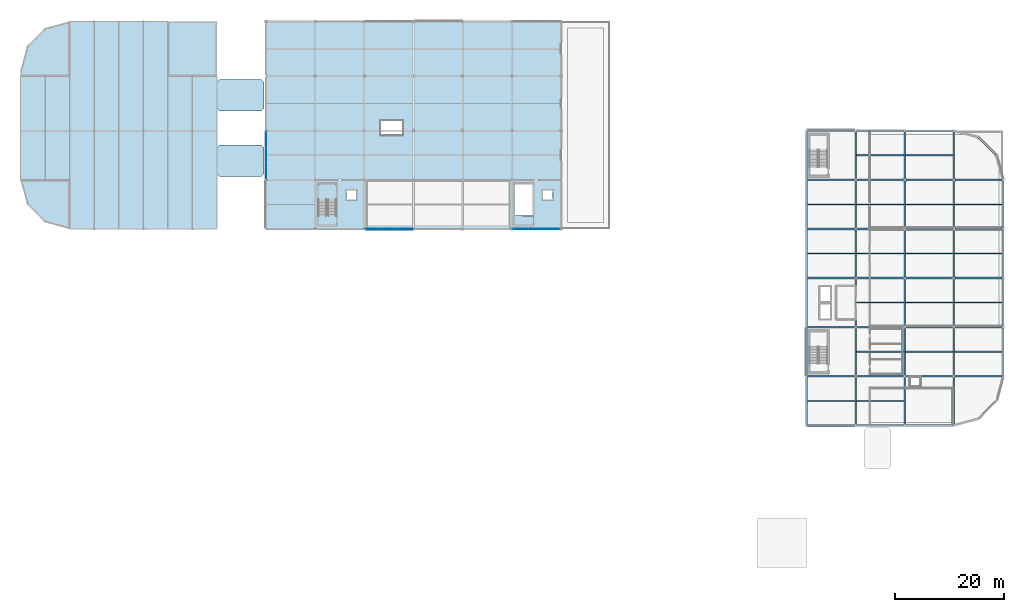
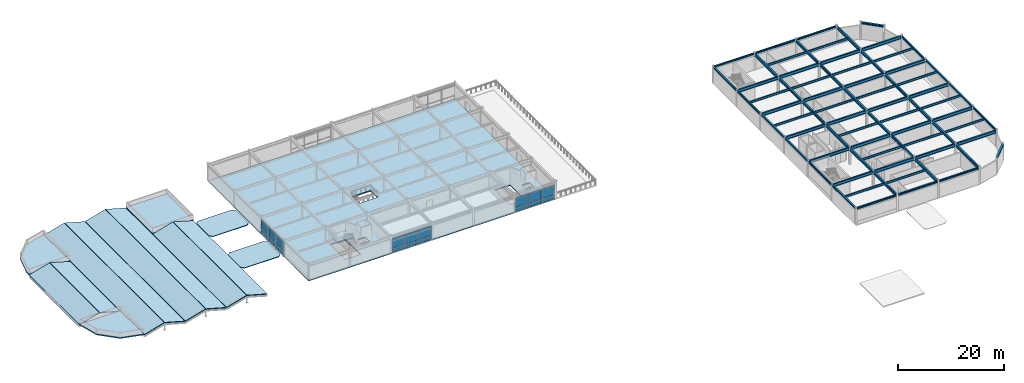
# One storey, part 26 of 40: 74 beams, 18 plates, 15 slabs, 4 elements without a shape of their own.
"""IFC4 building model written with IfcOpenShell, lengths in metres."""

import ifcopenshell
import ifcopenshell.guid

model = None  # the IFC model being written
_history = None  # IfcOwnerHistory: only IFC2X3 demands one
_inside = {}  # id of a spatial element -> (the spatial element, [elements in it])
_under = {}  # id of a project, library or spatial element -> (it, [spatial elements below it])
_declared = {}  # id of a project -> (the project, [libraries it declares])
_typed = {}  # id of a type object -> (the type object, [elements of that type])
_made_of = {}  # id of a material, layer set ... -> (it, [elements and type objects made of it])


def new_model(schema):
    """Start an empty IFC model of exactly this schema.

    Asked for "IFC4X3", IfcOpenShell would pick the latest addendum, in which some entities
    have other attributes; the version numbers below select the first issue.
    IFC2X3 requires an IfcOwnerHistory on every rooted entity: one is made here for all.
    """
    global model, _history
    if schema == "IFC4X3":
        model = ifcopenshell.file(schema_version=(4, 3, 0, 0))
    else:
        model = ifcopenshell.file(schema=schema)
    _inside.clear()
    _under.clear()
    _declared.clear()
    _typed.clear()
    _made_of.clear()
    _history = None
    if model.schema == "IFC2X3":
        org = make("IfcOrganization", Name="unknown")
        user = make(
            "IfcPersonAndOrganization",
            ThePerson=make("IfcPerson", FamilyName="unknown"),
            TheOrganization=org,
        )
        app = make(
            "IfcApplication",
            ApplicationDeveloper=org,
            Version="unknown",
            ApplicationFullName="unknown",
            ApplicationIdentifier="unknown",
        )
        _history = make(
            "IfcOwnerHistory",
            OwningUser=user,
            OwningApplication=app,
            ChangeAction="ADDED",
            CreationDate=0,
        )
    return model


def make(cls, **values):
    """One entity of the class cls with the attributes given. An attribute that is None is left unset."""
    return model.create_entity(
        cls, **{name: value for name, value in values.items() if value is not None}
    )


def rooted(cls, **values):
    """An entity with a GlobalId (a new one), such as an element, a storey or a relation."""
    return make(cls, GlobalId=ifcopenshell.guid.new(), OwnerHistory=_history, **values)


def si_unit(unit_type, name, prefix=None):
    """IfcSIUnit, for example si_unit("LENGTHUNIT", "METRE", prefix="MILLI")."""
    return make("IfcSIUnit", UnitType=unit_type, Prefix=prefix, Name=name)


def assignment(units):
    """IfcUnitAssignment: the units of a project."""
    return None if units is None else make("IfcUnitAssignment", Units=units)


def point(xyz):
    """IfcCartesianPoint."""
    return None if xyz is None else make("IfcCartesianPoint", Coordinates=xyz)


def direction(xyz):
    """IfcDirection."""
    return None if xyz is None else make("IfcDirection", DirectionRatios=xyz)


def frame(location, z_axis=None, x_axis=None):
    """IfcAxis2Placement3D, a coordinate frame: its origin and axes. An axis left out is left unset."""
    return make(
        "IfcAxis2Placement3D",
        Location=point(location),
        Axis=direction(z_axis),
        RefDirection=direction(x_axis),
    )


def frame_2d(location, x_axis=None):
    """IfcAxis2Placement2D, a coordinate frame in the plane: its origin and x axis."""
    return make(
        "IfcAxis2Placement2D", Location=point(location), RefDirection=direction(x_axis)
    )


def origin():
    """The frame at (0, 0, 0) with its axes left unset."""
    return frame((0.0, 0.0, 0.0))


def origin_2d():
    """The frame at (0, 0) in the plane with its x axis left unset."""
    return frame_2d((0.0, 0.0))


def place(relative_to, where):
    """IfcLocalPlacement: puts the frame where relative to a parent placement (None: the world)."""
    return make(
        "IfcLocalPlacement", PlacementRelTo=relative_to, RelativePlacement=where
    )


def context(
    kind, dimensions, precision=None, world=None, true_north=None, identifier=None
):
    """IfcGeometricRepresentationContext, for example the 3D "Model" context."""
    return make(
        "IfcGeometricRepresentationContext",
        ContextIdentifier=identifier,
        ContextType=kind,
        CoordinateSpaceDimension=dimensions,
        Precision=precision,
        WorldCoordinateSystem=world,
        TrueNorth=true_north,
    )


def subcontext(parent, identifier, kind, view, scale=None):
    """IfcGeometricRepresentationSubContext, for example "Body" below "Model"."""
    return make(
        "IfcGeometricRepresentationSubContext",
        ContextIdentifier=identifier,
        ContextType=kind,
        ParentContext=parent,
        TargetScale=scale,
        TargetView=view,
    )


def project(units=None, contexts=None):
    """IfcProject with its units and contexts."""
    return rooted(
        "IfcProject",
        Name="project",
        RepresentationContexts=contexts,
        UnitsInContext=assignment(units),
    )


def spatial(cls, under=None, at=None, **own):
    """A site, building, storey or space (cls), placed at a placement, below another one or the project."""
    s = rooted(cls, ObjectPlacement=at, **own)
    if under is not None:
        _under.setdefault(under.id(), (under, []))[1].append(s)
    return s


def polyline(points):
    """IfcPolyline through the points."""
    return make("IfcPolyline", Points=[point(p) for p in points])


def profile(cls, at=None, kind="AREA", **sizes):
    """A parametric profile (cls). Its sizes go by their IFC names, for example OverallWidth=200.0."""
    return make(cls, ProfileType=kind, Position=at, **sizes)


def rectangle(**sizes):
    """IfcRectangleProfileDef."""
    return profile("IfcRectangleProfileDef", **sizes)


def i_section(**sizes):
    """IfcIShapeProfileDef."""
    return profile("IfcIShapeProfileDef", **sizes)


def outline(outer, holes=None, kind="AREA"):
    """IfcArbitraryClosedProfileDef: a profile drawn as a closed curve; with holes, ...WithVoids."""
    if holes is None:
        return make("IfcArbitraryClosedProfileDef", ProfileType=kind, OuterCurve=outer)
    return make(
        "IfcArbitraryProfileDefWithVoids",
        ProfileType=kind,
        OuterCurve=outer,
        InnerCurves=holes,
    )


def extrude(swept, where, along, depth):
    """IfcExtrudedAreaSolid: the profile swept, set in the frame where, extruded along a direction by depth."""
    return make(
        "IfcExtrudedAreaSolid",
        SweptArea=swept,
        Position=where,
        ExtrudedDirection=direction(along),
        Depth=depth,
    )


def shape(context_of_items, identifier, shape_type, items):
    """IfcShapeRepresentation: the items that make up one representation, for example the "Body"."""
    return make(
        "IfcShapeRepresentation",
        ContextOfItems=context_of_items,
        RepresentationIdentifier=identifier,
        RepresentationType=shape_type,
        Items=items,
    )


def material(Name=None, Category=None):
    """IfcMaterial."""
    return make("IfcMaterial", Name=Name, Category=Category)


def layer(
    of_material, thickness, ventilated=None, Name=None, Category=None, Priority=None
):
    """IfcMaterialLayer: one layer of a wall or slab, of a material (None: an air gap)."""
    return make(
        "IfcMaterialLayer",
        Material=of_material,
        LayerThickness=thickness,
        IsVentilated=ventilated,
        Name=Name,
        Category=Category,
        Priority=Priority,
    )


def layer_set(layers, Name=None):
    """IfcMaterialLayerSet."""
    return make("IfcMaterialLayerSet", MaterialLayers=layers, LayerSetName=Name)


def material_profile(
    of_material, cross_section, Name=None, Category=None, Priority=None
):
    """IfcMaterialProfile: a cross section and its material."""
    return make(
        "IfcMaterialProfile",
        Name=Name,
        Material=of_material,
        Profile=cross_section,
        Priority=Priority,
        Category=Category,
    )


def profile_set(profiles, Name=None, composite=None):
    """IfcMaterialProfileSet."""
    return make(
        "IfcMaterialProfileSet",
        Name=Name,
        MaterialProfiles=profiles,
        CompositeProfile=composite,
    )


def made_of(thing, what):
    """Note that an element or type object is made of a material, layer set ...; save() writes the relation."""
    if what is not None:
        _made_of.setdefault(what.id(), (what, []))[1].append(thing)
    return thing


def type_object(cls, material=None, **own):
    """A type object (cls), such as IfcWallType, which elements share."""
    return made_of(rooted(cls, **own), material)


def element(
    cls,
    number,
    at=None,
    inside=None,
    cuts=None,
    type_object=None,
    material=None,
    context=None,
    identifier="Body",
    shape_type=None,
    held_by="IfcProductDefinitionShape",
    body=None,
    shapes=None,
    **own,
):
    """One element of the class cls, such as IfcWall. Its Tag is "e" and its number.

    at: its placement. inside: the storey or other place that contains it. cuts: it is an
    opening in that element (IfcRelVoidsElement). A single representation is given by context,
    identifier, shape_type and body (its items); several are given by shapes. held_by: the class
    of the entity that holds the representations. save() writes the other relations.
    """
    e = rooted(cls, Tag="e%d" % number, ObjectPlacement=at, **own)
    if body is not None:
        shapes = [shape(context, identifier, shape_type, body)]
    if shapes is not None:
        e.Representation = make(held_by, Representations=shapes)
    if inside is not None:
        _inside.setdefault(inside.id(), (inside, []))[1].append(e)
    if cuts is not None:
        rooted(
            "IfcRelVoidsElement", RelatingBuildingElement=cuts, RelatedOpeningElement=e
        )
    if type_object is not None:
        _typed.setdefault(type_object.id(), (type_object, []))[1].append(e)
    return made_of(e, material)


def aggregate(whole, parts):
    """IfcRelAggregates: a whole, such as a stair, and the parts it consists of."""
    return rooted("IfcRelAggregates", RelatingObject=whole, RelatedObjects=parts)


def save(model, path):
    """Write the relations noted so far, then the file.

    IfcRelAggregates (storeys below a building ...), IfcRelContainedInSpatialStructure (elements
    in a storey), IfcRelDefinesByType, IfcRelAssociatesMaterial and IfcRelDeclares: one each for
    every whole, place, type object, material and project.
    """
    for whole, parts in _under.values():
        aggregate(whole, parts)
    for where, things in _inside.values():
        rooted(
            "IfcRelContainedInSpatialStructure",
            RelatedElements=things,
            RelatingStructure=where,
        )
    for kind, things in _typed.values():
        rooted("IfcRelDefinesByType", RelatedObjects=things, RelatingType=kind)
    for what, things in _made_of.values():
        rooted("IfcRelAssociatesMaterial", RelatedObjects=things, RelatingMaterial=what)
    for by, libraries in _declared.values():
        rooted("IfcRelDeclares", RelatingContext=by, RelatedDefinitions=libraries)
    model.write(path)


model = new_model("IFC4")

# Units and contexts
model_context = context("Model", 3, precision=1e-05, world=origin(), true_north=direction((0.0, 1.0)))
body_context = subcontext(model_context, "Body", "Model", "MODEL_VIEW")
ifc_project = project(units=[si_unit("LENGTHUNIT", "METRE"), si_unit("AREAUNIT", "SQUARE_METRE"), si_unit("VOLUMEUNIT", "CUBIC_METRE"), si_unit("PLANEANGLEUNIT", "RADIAN"), si_unit("MASSUNIT", "GRAM", prefix="KILO")], contexts=[model_context])

# Site, building, storey
site_placement = place(None, origin())
site = spatial("IfcSite", under=ifc_project, at=site_placement, CompositionType="ELEMENT")
building_placement = place(site_placement, origin())
building = spatial("IfcBuilding", under=site, at=building_placement, Name="Suzunagisa Mobility Hub", CompositionType="ELEMENT")
storey_placement = place(building_placement, frame((0.0, 0.0, 21.89990234375)))
storey = spatial("IfcBuildingStorey", under=building, at=storey_placement, Name="L05", CompositionType="ELEMENT", Elevation=21.89990234375)

# Beams
ifc_material_1 = material(Name="Steel SN490B", Category="steel")
ifc_material_profile_1 = material_profile(ifc_material_1, i_section(OverallWidth=0.300048828125, OverallDepth=0.64990234375, WebThickness=0.012939453125, FlangeThickness=0.02197265625, FilletRadius=0.01611328125, at=origin_2d()), Name="H-650x300x13x22")
ifc_profile_set_1 = profile_set([ifc_material_profile_1], Name="Steel SN490B")
beam_type_1 = type_object("IfcBeamType", Name="Steel Beam BM-10 H-650x300x13x22", PredefinedType="BEAM", material=ifc_profile_set_1)
for number, where, z_axis, x_axis, name in (
    (1, (153.0, 44.1708984375, 3.614990234375), (0.0, 1.0, 0.0), (-1.0, 0.0, 0.0), "L05 Primary Girder GY-2148"),
    (2, (153.0, 53.1708984375, 3.614990234375), (0.0, 1.0, 0.0), (-1.0, 0.0, 0.0), "L05 Primary Girder GY-2149"),
    (3, (153.0, 62.1708984375, 3.614990234375), (0.0, 1.0, 0.0), (-1.0, 0.0, 0.0), "L05 Primary Girder GY-2150"),
    (4, (153.0, 71.1708984375, 3.614990234375), (0.0, 1.0, 0.0), (-1.0, 0.0, 0.0), "L05 Primary Girder GY-2151"),
    (5, (153.0, 80.1708984375, 3.614990234375), (0.0, 1.0, 0.0), (-1.0, 0.0, 0.0), "L05 Primary Girder GY-2152"),
    (6, (153.0, 89.1708984375, 3.614990234375), (0.0, 1.0, 0.0), (-1.0, 0.0, 0.0), "L05 Primary Girder GY-2153"),
    (7, (162.0, 44.1708984375, 3.614990234375), (0.0, 1.0, 0.0), (-1.0, 0.0, 0.0), "L05 Primary Girder GY-2154"),
    (8, (162.0, 53.1708984375, 3.614990234375), (0.0, 1.0, 0.0), (-1.0, 0.0, 0.0), "L05 Primary Girder GY-2155"),
    (9, (162.0, 62.1708984375, 3.614990234375), (0.0, 1.0, 0.0), (-1.0, 0.0, 0.0), "L05 Primary Girder GY-2156"),
    (10, (162.0, 71.1708984375, 3.614990234375), (0.0, 1.0, 0.0), (-1.0, 0.0, 0.0), "L05 Primary Girder GY-2157"),
    (11, (162.0, 80.1708984375, 3.614990234375), (0.0, 1.0, 0.0), (-1.0, 0.0, 0.0), "L05 Primary Girder GY-2158"),
    (12, (162.0, 89.1708984375, 3.614990234375), (0.0, 1.0, 0.0), (-1.0, 0.0, 0.0), "L05 Primary Girder GY-2159"),
    (13, (171.0, 44.1708984375, 3.614990234375), (0.0, 1.0, 0.0), (-1.0, 0.0, 0.0), "L05 Primary Girder GY-2160"),
    (14, (171.0, 53.1708984375, 3.614990234375), (0.0, 1.0, 0.0), (-1.0, 0.0, 0.0), "L05 Primary Girder GY-2161"),
    (15, (171.0, 62.1708984375, 3.614990234375), (0.0, 1.0, 0.0), (-1.0, 0.0, 0.0), "L05 Primary Girder GY-2162"),
    (16, (171.0, 71.1708984375, 3.614990234375), (0.0, 1.0, 0.0), (-1.0, 0.0, 0.0), "L05 Primary Girder GY-2163"),
    (17, (171.0, 80.1708984375, 3.614990234375), (0.0, 1.0, 0.0), (-1.0, 0.0, 0.0), "L05 Primary Girder GY-2164"),
    (18, (171.0, 89.1708984375, 3.614990234375), (0.0, 1.0, 0.0), (-1.0, 0.0, 0.0), "L05 Primary Girder GY-2165"),
):
    element("IfcBeam", number, at=place(storey_placement, frame(where, z_axis=z_axis, x_axis=x_axis)), inside=storey, type_object=beam_type_1, Name=name, PredefinedType="BEAM", context=body_context, shape_type="SweptSolid", body=[
        extrude(i_section(OverallWidth=0.300048828125, OverallDepth=0.64990234375, WebThickness=0.012939453125, FlangeThickness=0.02197265625, FilletRadius=0.01611328125, at=origin_2d()), origin(), (0.0, 0.0, 1.0), 8.658203125),
    ])
ifc_material_profile_2 = material_profile(ifc_material_1, i_section(OverallWidth=0.300048828125, OverallDepth=0.699951171875, WebThickness=0.012939453125, FlangeThickness=0.02392578125, FilletRadius=0.01806640625, at=origin_2d()), Name="H-700x300x13x24")
ifc_profile_set_2 = profile_set([ifc_material_profile_2], Name="Steel SN490B")
beam_type_2 = type_object("IfcBeamType", Name="Steel Beam BM-11 H-700x300x13x24", PredefinedType="BEAM", material=ifc_profile_set_2)
for number, where, z_axis, x_axis, name in (
    (19, (144.1708984375, 53.0, 3.590087890625), (1.0, 0.0, 0.0), (0.0, 1.0, 0.0), "L05 Primary Girder GX-2119"),
    (20, (153.1708984375, 53.0, 3.590087890625), (1.0, 0.0, 0.0), (0.0, 1.0, 0.0), "L05 Primary Girder GX-2120"),
    (21, (162.1708984375, 53.0, 3.590087890625), (1.0, 0.0, 0.0), (0.0, 1.0, 0.0), "L05 Primary Girder GX-2121"),
    (22, (171.1708984375, 53.0, 3.590087890625), (1.0, 0.0, 0.0), (0.0, 1.0, 0.0), "L05 Primary Girder GX-2122"),
    (23, (144.1708984375, 62.0, 3.590087890625), (1.0, 0.0, 0.0), (0.0, 1.0, 0.0), "L05 Primary Girder GX-2123"),
    (24, (153.1708984375, 62.0, 3.590087890625), (1.0, 0.0, 0.0), (0.0, 1.0, 0.0), "L05 Primary Girder GX-2124"),
    (25, (162.1708984375, 62.0, 3.590087890625), (1.0, 0.0, 0.0), (0.0, 1.0, 0.0), "L05 Primary Girder GX-2125"),
    (26, (171.1708984375, 62.0, 3.590087890625), (1.0, 0.0, 0.0), (0.0, 1.0, 0.0), "L05 Primary Girder GX-2126"),
    (27, (144.1708984375, 71.0, 3.590087890625), (1.0, 0.0, 0.0), (0.0, 1.0, 0.0), "L05 Primary Girder GX-2127"),
    (28, (153.1708984375, 71.0, 3.590087890625), (1.0, 0.0, 0.0), (0.0, 1.0, 0.0), "L05 Primary Girder GX-2128"),
    (29, (162.1708984375, 71.0, 3.590087890625), (1.0, 0.0, 0.0), (0.0, 1.0, 0.0), "L05 Primary Girder GX-2129"),
    (30, (171.1708984375, 71.0, 3.590087890625), (1.0, 0.0, 0.0), (0.0, 1.0, 0.0), "L05 Primary Girder GX-2130"),
    (31, (144.1708984375, 80.0, 3.590087890625), (1.0, 0.0, 0.0), (0.0, 1.0, 0.0), "L05 Primary Girder GX-2131"),
    (32, (153.1708984375, 80.0, 3.590087890625), (1.0, 0.0, 0.0), (0.0, 1.0, 0.0), "L05 Primary Girder GX-2132"),
    (33, (162.1708984375, 80.0, 3.590087890625), (1.0, 0.0, 0.0), (0.0, 1.0, 0.0), "L05 Primary Girder GX-2133"),
    (34, (171.1708984375, 80.0, 3.590087890625), (1.0, 0.0, 0.0), (0.0, 1.0, 0.0), "L05 Primary Girder GX-2134"),
    (35, (144.1708984375, 89.0, 3.590087890625), (1.0, 0.0, 0.0), (0.0, 1.0, 0.0), "L05 Primary Girder GX-2135"),
    (36, (153.1708984375, 89.0, 3.590087890625), (1.0, 0.0, 0.0), (0.0, 1.0, 0.0), "L05 Primary Girder GX-2136"),
    (37, (162.1708984375, 89.0, 3.590087890625), (1.0, 0.0, 0.0), (0.0, 1.0, 0.0), "L05 Primary Girder GX-2137"),
    (38, (171.1708984375, 89.0, 3.590087890625), (1.0, 0.0, 0.0), (0.0, 1.0, 0.0), "L05 Primary Girder GX-2138"),
):
    element("IfcBeam", number, at=place(storey_placement, frame(where, z_axis=z_axis, x_axis=x_axis)), inside=storey, type_object=beam_type_2, Name=name, PredefinedType="BEAM", context=body_context, shape_type="SweptSolid", body=[
        extrude(i_section(OverallWidth=0.300048828125, OverallDepth=0.699951171875, WebThickness=0.012939453125, FlangeThickness=0.02392578125, FilletRadius=0.01806640625, at=origin_2d()), origin(), (0.0, 0.0, 1.0), 8.658203125),
    ])
ifc_material_profile_3 = material_profile(ifc_material_1, i_section(OverallWidth=0.39990234375, OverallDepth=0.39990234375, WebThickness=0.012939453125, FlangeThickness=0.02099609375, FilletRadius=0.01611328125, at=origin_2d()), Name="H-400x400x13x21")
ifc_profile_set_3 = profile_set([ifc_material_profile_3], Name="Steel SN490B")
beam_type_3 = type_object("IfcBeamType", Name="Steel Beam BM-12 H-400x400x13x21", PredefinedType="SPANDREL", material=ifc_profile_set_3)
for number, where, z_axis, x_axis, name in (
    (39, (175.625732421875, 45.33154296875, 3.739990234375), (0.707106781187, 0.707106781187, 0.0), (-0.707106781187, 0.707106781187, 0.0), "L05 Streamline Prow Spandrel 2170"),
    (40, (178.66845703125, 93.625732421875, 3.739990234375), (-0.707106781187, 0.707106781187, 0.0), (-0.707106781187, -0.707106781187, 0.0), "L05 Streamline Prow Spandrel 2171"),
):
    element("IfcBeam", number, at=place(storey_placement, frame(where, z_axis=z_axis, x_axis=x_axis)), inside=storey, type_object=beam_type_3, Name=name, PredefinedType="SPANDREL", context=body_context, shape_type="SweptSolid", body=[
        extrude(i_section(OverallWidth=0.39990234375, OverallDepth=0.39990234375, WebThickness=0.012939453125, FlangeThickness=0.02099609375, FilletRadius=0.01611328125, at=origin_2d()), origin(), (0.0, 0.0, 1.0), 4.302978515625),
    ])
ifc_material_profile_4 = material_profile(ifc_material_1, i_section(OverallWidth=0.300048828125, OverallDepth=0.389892578125, WebThickness=0.010009765625, FlangeThickness=0.01611328125, FilletRadius=0.012939453125, at=origin_2d()), Name="H-390x300x10x16")
ifc_profile_set_4 = profile_set([ifc_material_profile_4], Name="Steel SN490B")
beam_type_4 = type_object("IfcBeamType", Name="Steel Beam BM-13 H-390x300x10x16", PredefinedType="SPANDREL", material=ifc_profile_set_4)
for number, where, z_axis, x_axis, name in (
    (41, (144.1708984375, 44.0, 3.7451171875), (1.0, 0.0, 0.0), (0.0, 1.0, 0.0), "L05 Primary Girder GX-2116"),
    (42, (153.1708984375, 44.0, 3.7451171875), (1.0, 0.0, 0.0), (0.0, 1.0, 0.0), "L05 Primary Girder GX-2117"),
    (43, (162.1708984375, 44.0, 3.7451171875), (1.0, 0.0, 0.0), (0.0, 1.0, 0.0), "L05 Primary Girder GX-2118"),
    (44, (144.1708984375, 98.0, 3.7451171875), (1.0, 0.0, 0.0), (0.0, 1.0, 0.0), "L05 Primary Girder GX-2139"),
    (45, (153.1708984375, 98.0, 3.7451171875), (1.0, 0.0, 0.0), (0.0, 1.0, 0.0), "L05 Primary Girder GX-2140"),
    (46, (162.1708984375, 98.0, 3.7451171875), (1.0, 0.0, 0.0), (0.0, 1.0, 0.0), "L05 Primary Girder GX-2141"),
    (47, (144.0, 44.1708984375, 3.7451171875), (0.0, 1.0, 0.0), (-1.0, 0.0, 0.0), "L05 Primary Girder GY-2142"),
    (48, (144.0, 53.1708984375, 3.7451171875), (0.0, 1.0, 0.0), (-1.0, 0.0, 0.0), "L05 Primary Girder GY-2143"),
    (49, (144.0, 62.1708984375, 3.7451171875), (0.0, 1.0, 0.0), (-1.0, 0.0, 0.0), "L05 Primary Girder GY-2144"),
    (50, (144.0, 71.1708984375, 3.7451171875), (0.0, 1.0, 0.0), (-1.0, 0.0, 0.0), "L05 Primary Girder GY-2145"),
    (51, (144.0, 80.1708984375, 3.7451171875), (0.0, 1.0, 0.0), (-1.0, 0.0, 0.0), "L05 Primary Girder GY-2146"),
    (52, (144.0, 89.1708984375, 3.7451171875), (0.0, 1.0, 0.0), (-1.0, 0.0, 0.0), "L05 Primary Girder GY-2147"),
    (53, (180.0, 53.1708984375, 3.7451171875), (0.0, 1.0, 0.0), (-1.0, 0.0, 0.0), "L05 Primary Girder GY-2166"),
    (54, (180.0, 62.1708984375, 3.7451171875), (0.0, 1.0, 0.0), (-1.0, 0.0, 0.0), "L05 Primary Girder GY-2167"),
    (55, (180.0, 71.1708984375, 3.7451171875), (0.0, 1.0, 0.0), (-1.0, 0.0, 0.0), "L05 Primary Girder GY-2168"),
    (56, (180.0, 80.1708984375, 3.7451171875), (0.0, 1.0, 0.0), (-1.0, 0.0, 0.0), "L05 Primary Girder GY-2169"),
):
    element("IfcBeam", number, at=place(storey_placement, frame(where, z_axis=z_axis, x_axis=x_axis)), inside=storey, type_object=beam_type_4, Name=name, PredefinedType="SPANDREL", context=body_context, shape_type="SweptSolid", body=[
        extrude(i_section(OverallWidth=0.300048828125, OverallDepth=0.389892578125, WebThickness=0.010009765625, FlangeThickness=0.01611328125, FilletRadius=0.012939453125, at=origin_2d()), origin(), (0.0, 0.0, 1.0), 8.658203125),
    ])
ifc_material_2 = material(Name="Steel SN400B", Category="steel")
ifc_material_profile_5 = material_profile(ifc_material_2, i_section(OverallWidth=0.199951171875, OverallDepth=0.5, WebThickness=0.010009765625, FlangeThickness=0.01611328125, FilletRadius=0.012939453125, at=origin_2d()), Name="H-500x200x10x16")
ifc_profile_set_5 = profile_set([ifc_material_profile_5], Name="Steel SN400B")
beam_type_5 = type_object("IfcBeamType", Name="Steel Beam BM-18 H-500x200x10x16", PredefinedType="JOIST", material=ifc_profile_set_5)
for number, where, z_axis, x_axis, name in (
    (57, (144.14990234375, 48.5, 3.690185546875), (1.0, 0.0, 0.0), (0.0, 1.0, 0.0), "L05 Composite Floor Joist J-2172"),
    (58, (144.14990234375, 75.5, 3.690185546875), (1.0, 0.0, 0.0), (0.0, 1.0, 0.0), "L05 Composite Floor Joist J-2173"),
    (59, (144.14990234375, 84.5, 3.690185546875), (1.0, 0.0, 0.0), (0.0, 1.0, 0.0), "L05 Composite Floor Joist J-2174"),
    (60, (153.14990234375, 48.5, 3.690185546875), (1.0, 0.0, 0.0), (0.0, 1.0, 0.0), "L05 Composite Floor Joist J-2175"),
    (61, (153.14990234375, 57.5, 3.690185546875), (1.0, 0.0, 0.0), (0.0, 1.0, 0.0), "L05 Composite Floor Joist J-2176"),
    (62, (153.14990234375, 66.5, 3.690185546875), (1.0, 0.0, 0.0), (0.0, 1.0, 0.0), "L05 Composite Floor Joist J-2177"),
    (63, (153.14990234375, 75.5, 3.690185546875), (1.0, 0.0, 0.0), (0.0, 1.0, 0.0), "L05 Composite Floor Joist J-2178"),
    (64, (153.14990234375, 84.5, 3.690185546875), (1.0, 0.0, 0.0), (0.0, 1.0, 0.0), "L05 Composite Floor Joist J-2179"),
    (65, (153.14990234375, 93.5, 3.690185546875), (1.0, 0.0, 0.0), (0.0, 1.0, 0.0), "L05 Composite Floor Joist J-2180"),
    (66, (162.14990234375, 57.5, 3.690185546875), (1.0, 0.0, 0.0), (0.0, 1.0, 0.0), "L05 Composite Floor Joist J-2181"),
    (67, (162.14990234375, 66.5, 3.690185546875), (1.0, 0.0, 0.0), (0.0, 1.0, 0.0), "L05 Composite Floor Joist J-2182"),
    (68, (162.14990234375, 75.5, 3.690185546875), (1.0, 0.0, 0.0), (0.0, 1.0, 0.0), "L05 Composite Floor Joist J-2183"),
    (69, (162.14990234375, 84.5, 3.690185546875), (1.0, 0.0, 0.0), (0.0, 1.0, 0.0), "L05 Composite Floor Joist J-2184"),
    (70, (162.14990234375, 93.5, 3.690185546875), (1.0, 0.0, 0.0), (0.0, 1.0, 0.0), "L05 Composite Floor Joist J-2185"),
    (71, (171.14990234375, 57.5, 3.690185546875), (1.0, 0.0, 0.0), (0.0, 1.0, 0.0), "L05 Composite Floor Joist J-2186"),
    (72, (171.14990234375, 66.5, 3.690185546875), (1.0, 0.0, 0.0), (0.0, 1.0, 0.0), "L05 Composite Floor Joist J-2187"),
    (73, (171.14990234375, 75.5, 3.690185546875), (1.0, 0.0, 0.0), (0.0, 1.0, 0.0), "L05 Composite Floor Joist J-2188"),
    (74, (171.14990234375, 84.5, 3.690185546875), (1.0, 0.0, 0.0), (0.0, 1.0, 0.0), "L05 Composite Floor Joist J-2189"),
):
    element("IfcBeam", number, at=place(storey_placement, frame(where, z_axis=z_axis, x_axis=x_axis)), inside=storey, type_object=beam_type_5, Name=name, PredefinedType="JOIST", context=body_context, shape_type="SweptSolid", body=[
        extrude(i_section(OverallWidth=0.199951171875, OverallDepth=0.5, WebThickness=0.010009765625, FlangeThickness=0.01611328125, FilletRadius=0.012939453125, at=origin_2d()), origin(), (0.0, 0.0, 1.0), 8.7001953125),
    ])

# Slabs
ifc_material_3 = material(Name="Concrete C30/37", Category="concrete")
ifc_layer_1 = layer(ifc_material_3, 0.139892578125)
ifc_layer_set_1 = layer_set([ifc_layer_1], Name="Concrete C30/37")
slab_type_1 = type_object("IfcSlabType", Name="Composite Slab SL-06 140mm", PredefinedType="ROOF", material=ifc_layer_set_1)
slab_1_placement = place(storey_placement, frame((0.0, 0.0, -0.139892578125)))
element("IfcSlab", 75, at=slab_1_placement, inside=storey, type_object=slab_type_1, Name="L05 Skybridge Canopy VRL-L04-S", PredefinedType="ROOF", context=body_context, shape_type="SweptSolid", body=[
    extrude(outline(polyline([(36.550048828125, 89.60009765625), (44.10009765625, 89.60009765625), (44.64990234375, 90.14990234375), (44.64990234375, 94.85009765625), (44.10009765625, 95.39990234375), (36.550048828125, 95.39990234375), (36.0, 94.85009765625), (36.0, 90.14990234375), (36.550048828125, 89.60009765625)])), origin(), (0.0, 0.0, 1.0), 0.139892578125),
])
slab_2_placement = place(storey_placement, frame((0.0, 0.0, -0.139892578125)))
element("IfcSlab", 76, at=slab_2_placement, inside=storey, type_object=slab_type_1, Name="L05 Skybridge Canopy VRL-L04-N", PredefinedType="ROOF", context=body_context, shape_type="SweptSolid", body=[
    extrude(outline(polyline([(36.550048828125, 101.60009765625), (44.10009765625, 101.60009765625), (44.64990234375, 102.14990234375), (44.64990234375, 106.85009765625), (44.10009765625, 107.39990234375), (36.550048828125, 107.39990234375), (36.0, 106.85009765625), (36.0, 102.14990234375), (36.550048828125, 101.60009765625)])), origin(), (0.0, 0.0, 1.0), 0.139892578125),
])
ifc_layer_2 = layer(ifc_material_3, 0.159912109375)
ifc_layer_set_2 = layer_set([ifc_layer_2], Name="Concrete C30/37")
slab_type_2 = type_object("IfcSlabType", Name="Composite Slab SL-11 160mm", PredefinedType="ROOF", material=ifc_layer_set_2)
for number, where, z_axis, x_axis, name in (
    (77, (0.034912109375, 89.0, 0.0), (-0.271160302108, 0.0, 0.962534202281), (0.962534202281, 0.0, 0.271160302108), "L05 Helical Ramp Canopy Roof 1W"),
    (78, (4.534912109375, 89.0, 1.248046875), (0.271160302108, 0.0, 0.962534202281), (0.962534202281, 0.0, -0.271160302108), "L05 Helical Ramp Canopy Roof 1E"),
):
    element("IfcSlab", number, at=place(storey_placement, frame(where, z_axis=z_axis, x_axis=x_axis)), inside=storey, type_object=slab_type_2, Name=name, PredefinedType="ROOF", context=body_context, shape_type="SweptSolid", body=[
        extrude(outline(polyline([(0.0, 0.0), (4.602616479239968, 0.0), (4.602616479239968, 19.0), (0.0, 19.0), (0.0, 0.0)])), origin(), (0.0, 0.0, -1.0), 0.159912109375),
    ])
for number, where, z_axis, x_axis, name in (
    (79, (9.034912109375, 80.0, 0.0), (-0.271160302108, 0.0, 0.962534202281), (0.962534202281, 0.0, 0.271160302108), "L05 Helical Ramp Canopy Roof 2W"),
    (80, (13.534912109375, 80.0, 1.248046875), (0.271160302108, 0.0, 0.962534202281), (0.962534202281, 0.0, -0.271160302108), "L05 Helical Ramp Canopy Roof 2E"),
    (81, (18.034912109375, 80.0, 0.0), (-0.271160302108, 0.0, 0.962534202281), (0.962534202281, 0.0, 0.271160302108), "L05 Helical Ramp Canopy Roof 3W"),
    (82, (22.534912109375, 80.0, 1.248046875), (0.271160302108, 0.0, 0.962534202281), (0.962534202281, 0.0, -0.271160302108), "L05 Helical Ramp Canopy Roof 3E"),
):
    element("IfcSlab", number, at=place(storey_placement, frame(where, z_axis=z_axis, x_axis=x_axis)), inside=storey, type_object=slab_type_2, Name=name, PredefinedType="ROOF", context=body_context, shape_type="SweptSolid", body=[
        extrude(outline(polyline([(0.0, 0.0), (4.602616479239968, 0.0), (4.602616479239968, 38.0), (0.0, 38.0), (0.0, 0.0)])), origin(), (0.0, 0.0, -1.0), 0.159912109375),
    ])
for number, where, z_axis, x_axis, name in (
    (83, (27.034912109375, 80.0, 0.0), (-0.271160302108, 0.0, 0.962534202281), (0.962534202281, 0.0, 0.271160302108), "L05 Helical Ramp Canopy Roof 4W"),
    (84, (31.534912109375, 80.0, 1.248046875), (0.271160302108, 0.0, 0.962534202281), (0.962534202281, 0.0, -0.271160302108), "L05 Helical Ramp Canopy Roof 4E"),
):
    element("IfcSlab", number, at=place(storey_placement, frame(where, z_axis=z_axis, x_axis=x_axis)), inside=storey, type_object=slab_type_2, Name=name, PredefinedType="ROOF", context=body_context, shape_type="SweptSolid", body=[
        extrude(outline(polyline([(0.0, 0.0), (4.602616479239968, 0.0), (4.602616479239968, 27.999999999999996), (0.0, 27.999999999999996), (0.0, 0.0)])), origin(), (0.0, 0.0, -1.0), 0.159912109375),
    ])
ifc_material_4 = material(Name="Concrete C35/45", Category="concrete")
ifc_layer_3 = layer(ifc_material_4, 0.25)
ifc_layer_set_3 = layer_set([ifc_layer_3], Name="Concrete C35/45")
slab_type_3 = type_object("IfcSlabType", Name="Composite Slab SL-13 250mm", PredefinedType="FLOOR", material=ifc_layer_set_3)
slab_3_placement = place(storey_placement, frame((0.0, 0.0, -0.25)))
element("IfcSlab", 85, at=slab_3_placement, inside=storey, type_object=slab_type_3, Name="L05 V4 Floor Slab", PredefinedType="FLOOR", context=body_context, shape_type="SweptSolid", body=[
    extrude(outline(polyline([(45.0, 80.0), (99.0, 80.0), (99.0, 118.0), (45.0, 118.0), (45.0, 80.0)]), holes=[polyline([(66.0, 97.199951171875), (70.0, 97.199951171875), (70.0, 99.800048828125), (66.0, 99.800048828125), (66.0, 97.199951171875)]), polyline([(54.56005859375, 82.47998046875), (57.840087890625, 82.47998046875), (57.840087890625, 88.199951171875), (54.56005859375, 88.199951171875), (54.56005859375, 82.47998046875)]), polyline([(59.719970703125, 85.3701171875), (61.47998046875, 85.3701171875), (61.47998046875, 87.030029296875), (59.719970703125, 87.030029296875), (59.719970703125, 85.3701171875)]), polyline([(90.56005859375, 82.47998046875), (93.840087890625, 82.47998046875), (93.840087890625, 88.199951171875), (90.56005859375, 88.199951171875), (90.56005859375, 82.47998046875)]), polyline([(95.719970703125, 85.3701171875), (97.47998046875, 85.3701171875), (97.47998046875, 87.030029296875), (95.719970703125, 87.030029296875), (95.719970703125, 85.3701171875)])]), origin(), (0.0, 0.0, 1.0), 0.25),
])
ifc_layer_4 = layer(ifc_material_3, 0.260009765625)
ifc_layer_set_4 = layer_set([ifc_layer_4], Name="Concrete C30/37")
slab_type_4 = type_object("IfcSlabType", Name="Composite Slab SL-17 260mm", PredefinedType="ROOF", material=ifc_layer_set_4)
slab_4_placement = place(storey_placement, frame((0.0, 0.0, -0.079833984375)))
element("IfcSlab", 86, at=slab_4_placement, inside=storey, type_object=slab_type_4, Name="L05 Ramp Drum SW Streamline Corner Roof", PredefinedType="ROOF", context=body_context, shape_type="SweptSolid", body=[
    extrude(outline(polyline([(9.0, 80.0), (9.0, 89.0), (0.0, 89.0), (1.205810546875, 84.5), (4.5, 81.205810546875), (9.0, 80.0)])), origin(), (0.0, 0.0, 1.0), 0.260009765625),
])
slab_5_placement = place(storey_placement, frame((0.0, 0.0, -0.079833984375)))
element("IfcSlab", 87, at=slab_5_placement, inside=storey, type_object=slab_type_4, Name="L05 Ramp Drum NW Streamline Corner Roof", PredefinedType="ROOF", context=body_context, shape_type="SweptSolid", body=[
    extrude(outline(polyline([(0.0, 109.0), (0.0, 108.0), (9.0, 108.0), (9.0, 118.0), (4.5, 116.794189453125), (1.205810546875, 113.5), (0.0, 109.0)])), origin(), (0.0, 0.0, 1.0), 0.260009765625),
])
slab_6_placement = place(storey_placement, frame((0.0, 0.0, -0.079833984375)))
element("IfcSlab", 88, at=slab_6_placement, inside=storey, type_object=slab_type_4, Name="L05 Ramp Drum NE Corner Roof", PredefinedType="ROOF", context=body_context, shape_type="SweptSolid", body=[
    extrude(outline(polyline([(36.0, 118.0), (27.0, 118.0), (27.0, 108.0), (36.0, 108.0), (36.0, 118.0)])), origin(), (0.0, 0.0, 1.0), 0.260009765625),
])

# Stair, slab
stair_type = type_object("IfcStairType", Name="Dog-Leg Core Escape Stair ST-07 W1560", PredefinedType="HALF_TURN_STAIR", material=ifc_material_4)
stair_placement = place(storey_placement, origin())
stair = element("IfcStair", 89, at=stair_placement, inside=storey, type_object=stair_type, Name="L05 Core C3 Escape Stair ST-07", PredefinedType="HALF_TURN_STAIR")
ifc_layer_5 = layer(ifc_material_4, 0.199951171875)
ifc_layer_set_5 = layer_set([ifc_layer_5], Name="Concrete C35/45")
slab_type_5 = type_object("IfcSlabType", Name="Core Stair Half-Landing Slab SL-SLND", PredefinedType="LANDING", material=ifc_layer_set_5)
slab_7_placement = place(storey_placement, frame((0.0, 0.0, 1.900146484375)))
slab_7 = element("IfcSlab", 90, at=slab_7_placement, type_object=slab_type_5, Name="ST-07 landing 1", PredefinedType="LANDING", context=body_context, shape_type="SweptSolid", body=[
    extrude(outline(polyline([(54.4599609375, 85.360107421875), (57.93994140625, 85.360107421875), (57.93994140625, 87.820068359375), (57.4599609375, 88.300048828125), (54.93994140625, 88.300048828125), (54.4599609375, 87.820068359375), (54.4599609375, 85.360107421875)])), origin(), (0.0, 0.0, 1.0), 0.199951171875),
])
aggregate(stair, [slab_7])

# Curtain wall, plates
ifc_material_5 = material(Name="Thermally Broken Anodized Aluminum and Low-E Glazing", Category="aluminium")
curtain_wall_type_1 = type_object("IfcCurtainWallType", Name="Unitised Curtain Wall CW-13 8750x3200", PredefinedType="USERDEFINED", material=ifc_material_5)
curtain_wall_1_placement = place(storey_placement, origin())
curtain_wall_1 = element("IfcCurtainWall", 91, at=curtain_wall_1_placement, inside=storey, type_object=curtain_wall_type_1, Name="L05 Unitised Curtain Wall CW-135", ObjectType="UNITISED CURTAIN WALL", PredefinedType="USERDEFINED")
ifc_material_6 = material(Name="Low-E Solar-Control Double Glazing", Category="glass")
ifc_layer_6 = layer(ifc_material_6, 0.028076171875)
ifc_layer_set_6 = layer_set([ifc_layer_6], Name="Low-E Solar-Control Double Glazing")
plate_type = type_object("IfcPlateType", Name="Low-E Double Glazed Curtain Panel GP-01 28mm", PredefinedType="CURTAIN_PANEL", material=ifc_layer_set_6)
plate_1_placement = place(storey_placement, frame((64.66015625, 80.0, 0.06298828125), z_axis=(0.0, 0.0, 1.0), x_axis=(1.0, 0.0, 0.0)))
plate_1 = element("IfcPlate", 92, at=plate_1_placement, type_object=plate_type, Name="Curtain Wall Glazing Panel 135-P1.1", PredefinedType="CURTAIN_PANEL", context=body_context, shape_type="SweptSolid", body=[
    extrude(rectangle(XDim=2.854248046875, YDim=0.028076171875, at=origin_2d()), origin(), (0.0, 0.0, 1.0), 0.8564453125),
])
plate_2_placement = place(storey_placement, frame((64.66015625, 80.0, 0.98046875), z_axis=(0.0, 0.0, 1.0), x_axis=(1.0, 0.0, 0.0)))
plate_2 = element("IfcPlate", 93, at=plate_2_placement, type_object=plate_type, Name="Curtain Wall Glazing Panel 135-P1.2", PredefinedType="CURTAIN_PANEL", context=body_context, shape_type="SweptSolid", body=[
    extrude(rectangle(XDim=2.854248046875, YDim=0.028076171875, at=origin_2d()), origin(), (0.0, 0.0, 1.0), 2.176513671875),
])
plate_3_placement = place(storey_placement, frame((67.585205078125, 80.0, 0.06298828125), z_axis=(0.0, 0.0, 1.0), x_axis=(1.0, 0.0, 0.0)))
plate_3 = element("IfcPlate", 94, at=plate_3_placement, type_object=plate_type, Name="Curtain Wall Glazing Panel 135-P2.1", PredefinedType="CURTAIN_PANEL", context=body_context, shape_type="SweptSolid", body=[
    extrude(rectangle(XDim=2.884033203125, YDim=0.028076171875, at=origin_2d()), origin(), (0.0, 0.0, 1.0), 0.8564453125),
])
plate_4_placement = place(storey_placement, frame((67.585205078125, 80.0, 0.98046875), z_axis=(0.0, 0.0, 1.0), x_axis=(1.0, 0.0, 0.0)))
plate_4 = element("IfcPlate", 95, at=plate_4_placement, type_object=plate_type, Name="Curtain Wall Glazing Panel 135-P2.2", PredefinedType="CURTAIN_PANEL", context=body_context, shape_type="SweptSolid", body=[
    extrude(rectangle(XDim=2.884033203125, YDim=0.028076171875, at=origin_2d()), origin(), (0.0, 0.0, 1.0), 2.176513671875),
])
plate_5_placement = place(storey_placement, frame((70.510498046875, 80.0, 0.06298828125), z_axis=(0.0, 0.0, 1.0), x_axis=(1.0, 0.0, 0.0)))
plate_5 = element("IfcPlate", 96, at=plate_5_placement, type_object=plate_type, Name="Curtain Wall Glazing Panel 135-P3.1", PredefinedType="CURTAIN_PANEL", context=body_context, shape_type="SweptSolid", body=[
    extrude(rectangle(XDim=2.854248046875, YDim=0.028076171875, at=origin_2d()), origin(), (0.0, 0.0, 1.0), 0.8564453125),
])
plate_6_placement = place(storey_placement, frame((70.510498046875, 80.0, 0.98046875), z_axis=(0.0, 0.0, 1.0), x_axis=(1.0, 0.0, 0.0)))
plate_6 = element("IfcPlate", 97, at=plate_6_placement, type_object=plate_type, Name="Curtain Wall Glazing Panel 135-P3.2", PredefinedType="CURTAIN_PANEL", context=body_context, shape_type="SweptSolid", body=[
    extrude(rectangle(XDim=2.854248046875, YDim=0.028076171875, at=origin_2d()), origin(), (0.0, 0.0, 1.0), 2.176513671875),
])
aggregate(curtain_wall_1, [plate_1, plate_2, plate_3, plate_4, plate_5, plate_6])

curtain_wall_2_placement = place(storey_placement, origin())
curtain_wall_2 = element("IfcCurtainWall", 98, at=curtain_wall_2_placement, inside=storey, type_object=curtain_wall_type_1, Name="L05 Unitised Curtain Wall CW-136", ObjectType="UNITISED CURTAIN WALL", PredefinedType="USERDEFINED")
plate_7_placement = place(storey_placement, frame((91.631591796875, 80.0, 0.06298828125), z_axis=(0.0, 0.0, 1.0), x_axis=(1.0, 0.0, 0.0)))
plate_7 = element("IfcPlate", 99, at=plate_7_placement, type_object=plate_type, Name="Curtain Wall Glazing Panel 136-P1.1", PredefinedType="CURTAIN_PANEL", context=body_context, shape_type="SweptSolid", body=[
    extrude(rectangle(XDim=2.79736328125, YDim=0.028076171875, at=origin_2d()), origin(), (0.0, 0.0, 1.0), 0.8564453125),
])
plate_8_placement = place(storey_placement, frame((91.631591796875, 80.0, 0.98046875), z_axis=(0.0, 0.0, 1.0), x_axis=(1.0, 0.0, 0.0)))
plate_8 = element("IfcPlate", 100, at=plate_8_placement, type_object=plate_type, Name="Curtain Wall Glazing Panel 136-P1.2", PredefinedType="CURTAIN_PANEL", context=body_context, shape_type="SweptSolid", body=[
    extrude(rectangle(XDim=2.79736328125, YDim=0.028076171875, at=origin_2d()), origin(), (0.0, 0.0, 1.0), 2.176513671875),
])
plate_9_placement = place(storey_placement, frame((94.5, 80.0, 0.06298828125), z_axis=(0.0, 0.0, 1.0), x_axis=(1.0, 0.0, 0.0)))
plate_9 = element("IfcPlate", 101, at=plate_9_placement, type_object=plate_type, Name="Curtain Wall Glazing Panel 136-P2.1", PredefinedType="CURTAIN_PANEL", context=body_context, shape_type="SweptSolid", body=[
    extrude(rectangle(XDim=2.827392578125, YDim=0.028076171875, at=origin_2d()), origin(), (0.0, 0.0, 1.0), 0.8564453125),
])
plate_10_placement = place(storey_placement, frame((94.5, 80.0, 0.98046875), z_axis=(0.0, 0.0, 1.0), x_axis=(1.0, 0.0, 0.0)))
plate_10 = element("IfcPlate", 102, at=plate_10_placement, type_object=plate_type, Name="Curtain Wall Glazing Panel 136-P2.2", PredefinedType="CURTAIN_PANEL", context=body_context, shape_type="SweptSolid", body=[
    extrude(rectangle(XDim=2.827392578125, YDim=0.028076171875, at=origin_2d()), origin(), (0.0, 0.0, 1.0), 2.176513671875),
])
plate_11_placement = place(storey_placement, frame((97.368408203125, 80.0, 0.06298828125), z_axis=(0.0, 0.0, 1.0), x_axis=(1.0, 0.0, 0.0)))
plate_11 = element("IfcPlate", 103, at=plate_11_placement, type_object=plate_type, Name="Curtain Wall Glazing Panel 136-P3.1", PredefinedType="CURTAIN_PANEL", context=body_context, shape_type="SweptSolid", body=[
    extrude(rectangle(XDim=2.79736328125, YDim=0.028076171875, at=origin_2d()), origin(), (0.0, 0.0, 1.0), 0.8564453125),
])
plate_12_placement = place(storey_placement, frame((97.368408203125, 80.0, 0.98046875), z_axis=(0.0, 0.0, 1.0), x_axis=(1.0, 0.0, 0.0)))
plate_12 = element("IfcPlate", 104, at=plate_12_placement, type_object=plate_type, Name="Curtain Wall Glazing Panel 136-P3.2", PredefinedType="CURTAIN_PANEL", context=body_context, shape_type="SweptSolid", body=[
    extrude(rectangle(XDim=2.79736328125, YDim=0.028076171875, at=origin_2d()), origin(), (0.0, 0.0, 1.0), 2.176513671875),
])
aggregate(curtain_wall_2, [plate_7, plate_8, plate_9, plate_10, plate_11, plate_12])

curtain_wall_type_2 = type_object("IfcCurtainWallType", Name="Unitised Curtain Wall CW-12 8750x3300", PredefinedType="USERDEFINED", material=ifc_material_5)
curtain_wall_3_placement = place(storey_placement, origin())
curtain_wall_3 = element("IfcCurtainWall", 105, at=curtain_wall_3_placement, inside=storey, type_object=curtain_wall_type_2, Name="L05 Unitised Curtain Wall CW-139", ObjectType="UNITISED CURTAIN WALL", PredefinedType="USERDEFINED")
plate_13_placement = place(storey_placement, frame((45.0, 96.368408203125, 0.06298828125), z_axis=(0.0, 0.0, 1.0), x_axis=(0.0, -1.0, 0.0)))
plate_13 = element("IfcPlate", 106, at=plate_13_placement, type_object=plate_type, Name="Curtain Wall Glazing Panel 139-P1.1", PredefinedType="CURTAIN_PANEL", context=body_context, shape_type="SweptSolid", body=[
    extrude(rectangle(XDim=2.79736328125, YDim=0.028076171875, at=origin_2d()), origin(), (0.0, 0.0, 1.0), 0.8564453125),
])
plate_14_placement = place(storey_placement, frame((45.0, 96.368408203125, 0.980712890625), z_axis=(0.0, 0.0, 1.0), x_axis=(0.0, -1.0, 0.0)))
plate_14 = element("IfcPlate", 107, at=plate_14_placement, type_object=plate_type, Name="Curtain Wall Glazing Panel 139-P1.2", PredefinedType="CURTAIN_PANEL", context=body_context, shape_type="SweptSolid", body=[
    extrude(rectangle(XDim=2.79736328125, YDim=0.028076171875, at=origin_2d()), origin(), (0.0, 0.0, 1.0), 2.28857421875),
])
plate_15_placement = place(storey_placement, frame((45.0, 93.5, 0.06298828125), z_axis=(0.0, 0.0, 1.0), x_axis=(0.0, -1.0, 0.0)))
plate_15 = element("IfcPlate", 108, at=plate_15_placement, type_object=plate_type, Name="Curtain Wall Glazing Panel 139-P2.1", PredefinedType="CURTAIN_PANEL", context=body_context, shape_type="SweptSolid", body=[
    extrude(rectangle(XDim=2.827392578125, YDim=0.028076171875, at=origin_2d()), origin(), (0.0, 0.0, 1.0), 0.8564453125),
])
plate_16_placement = place(storey_placement, frame((45.0, 93.5, 0.980712890625), z_axis=(0.0, 0.0, 1.0), x_axis=(0.0, -1.0, 0.0)))
plate_16 = element("IfcPlate", 109, at=plate_16_placement, type_object=plate_type, Name="Curtain Wall Glazing Panel 139-P2.2", PredefinedType="CURTAIN_PANEL", context=body_context, shape_type="SweptSolid", body=[
    extrude(rectangle(XDim=2.827392578125, YDim=0.028076171875, at=origin_2d()), origin(), (0.0, 0.0, 1.0), 2.28857421875),
])
plate_17_placement = place(storey_placement, frame((45.0, 90.631591796875, 0.06298828125), z_axis=(0.0, 0.0, 1.0), x_axis=(0.0, -1.0, 0.0)))
plate_17 = element("IfcPlate", 110, at=plate_17_placement, type_object=plate_type, Name="Curtain Wall Glazing Panel 139-P3.1", PredefinedType="CURTAIN_PANEL", context=body_context, shape_type="SweptSolid", body=[
    extrude(rectangle(XDim=2.79736328125, YDim=0.028076171875, at=origin_2d()), origin(), (0.0, 0.0, 1.0), 0.8564453125),
])
plate_18_placement = place(storey_placement, frame((45.0, 90.631591796875, 0.980712890625), z_axis=(0.0, 0.0, 1.0), x_axis=(0.0, -1.0, 0.0)))
plate_18 = element("IfcPlate", 111, at=plate_18_placement, type_object=plate_type, Name="Curtain Wall Glazing Panel 139-P3.2", PredefinedType="CURTAIN_PANEL", context=body_context, shape_type="SweptSolid", body=[
    extrude(rectangle(XDim=2.79736328125, YDim=0.028076171875, at=origin_2d()), origin(), (0.0, 0.0, 1.0), 2.28857421875),
])
aggregate(curtain_wall_3, [plate_13, plate_14, plate_15, plate_16, plate_17, plate_18])

save(model, "model.ifc")
